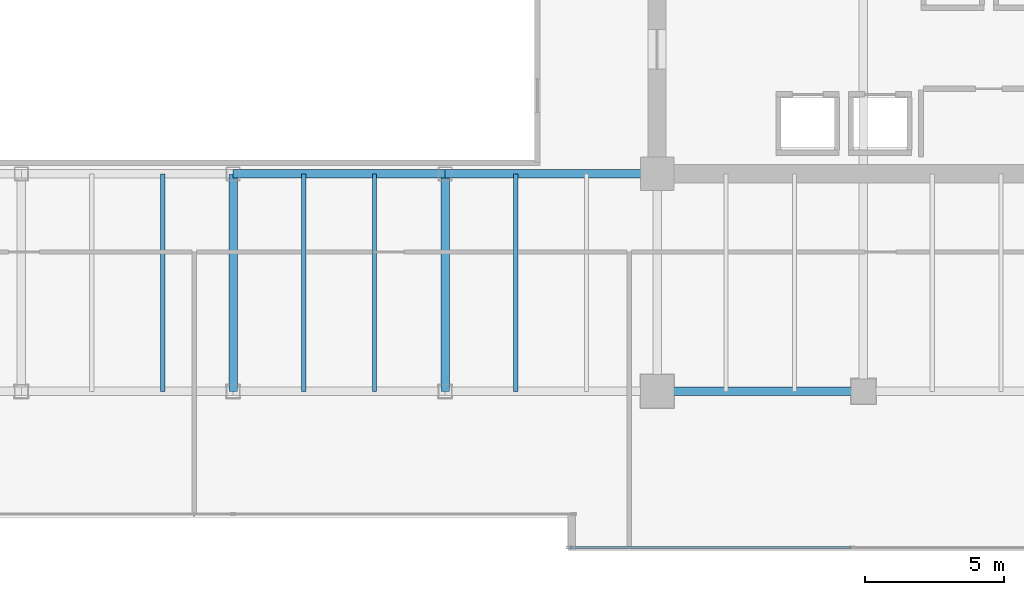
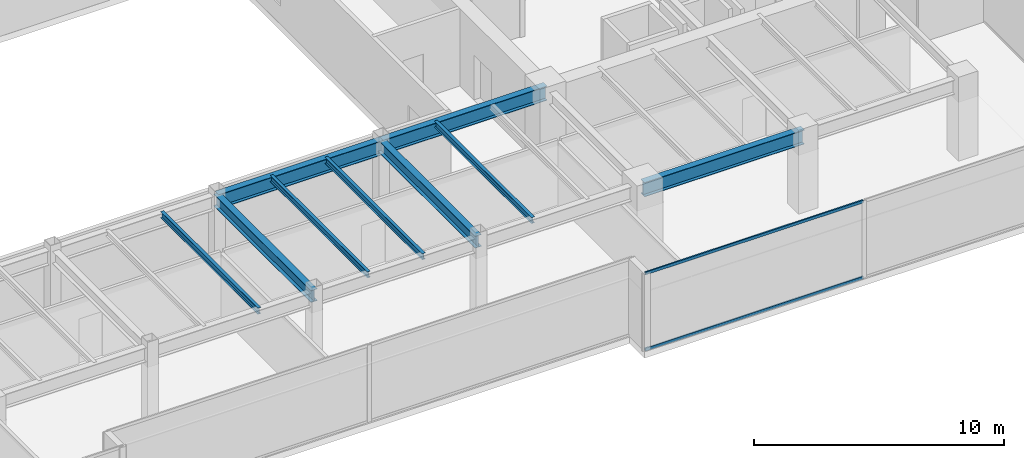
# One storey, part 11 of 34: 9 beams, 2 members, 1 element without a shape of its own.
"""IFC4 building model written with IfcOpenShell, lengths in metres."""

from ifc_helpers import new_model, si_unit, direction, frame, origin, origin_2d, place, context, subcontext, project, spatial, hollow_rectangle, i_section, extrude, source, transform, mapped, material, layer, layer_set, material_profile, profile_set, type_object, type_shapes, element, aggregate, save


model = new_model("IFC4")

# Units and contexts
model_context = context("Model", 3, precision=1e-05, world=origin(), true_north=direction((0.0, 1.0)))
body_context = subcontext(model_context, "Body", "Model", "MODEL_VIEW")
ifc_project = project(units=[si_unit("LENGTHUNIT", "METRE"), si_unit("AREAUNIT", "SQUARE_METRE"), si_unit("VOLUMEUNIT", "CUBIC_METRE"), si_unit("PLANEANGLEUNIT", "RADIAN"), si_unit("MASSUNIT", "GRAM", prefix="KILO")], contexts=[model_context])

# Site, building, storey
site_placement = place(None, origin())
site = spatial("IfcSite", under=ifc_project, at=site_placement, CompositionType="ELEMENT")
building_placement = place(site_placement, origin())
building = spatial("IfcBuilding", under=site, at=building_placement, Name="Haelvirn Gate Laboratories", CompositionType="ELEMENT")
storey_placement = place(building_placement, frame((0.0, 0.0, 178.89990234375)))
storey = spatial("IfcBuildingStorey", under=building, at=storey_placement, Name="L43", CompositionType="ELEMENT", Elevation=178.89990234375)

# Beams
ifc_material_1 = material(Name="Steel SM355", Category="steel")
ifc_material_profile_1 = material_profile(ifc_material_1, i_section(OverallWidth=0.300048828125, OverallDepth=0.699951171875, WebThickness=0.012939453125, FlangeThickness=0.02392578125, at=origin_2d()), Name="H-700x300x13x24")
ifc_profile_set_1 = profile_set([ifc_material_profile_1], Name="Steel SM355")
beam_type_1 = type_object("IfcBeamType", Name="BM-G-700", PredefinedType="BEAM", material=ifc_profile_set_1)
shared_shape_1 = source(origin(), body_context, "Body", "SweptSolid", [
    extrude(i_section(OverallWidth=0.300048828125, OverallDepth=0.699951171875, WebThickness=0.012939453125, FlangeThickness=0.02392578125, at=origin_2d()), origin(), (0.0, 0.0, 1.0), 7.39990234375),
])
beam_placement = place(storey_placement, frame((52.60009765625, 7.0, 3.440185546875), z_axis=(1.0, 0.0, 0.0), x_axis=(0.0, 1.0, 0.0)))
element("IfcBeam", 1, at=beam_placement, inside=storey, type_object=beam_type_1, Name="L43 Primary Girder Y7.0 (52.6-60.0)", PredefinedType="BEAM", context=body_context, shape_type="MappedRepresentation", body=[
    mapped(shared_shape_1, transform((0.0, 0.0, 0.0), scale=1.0)),
])
shared_shape_2 = source(origin(), body_context, "Body", "SweptSolid", [
    extrude(i_section(OverallWidth=0.300048828125, OverallDepth=0.699951171875, WebThickness=0.012939453125, FlangeThickness=0.02392578125, at=origin_2d()), origin(), (0.0, 0.0, 1.0), 7.60009765625),
])
type_shapes(beam_type_1, [shared_shape_1, shared_shape_2])
for number, where, z_axis, x_axis, name in (
    (2, (37.39990234375, 14.800048828125, 3.440185546875), (1.0, 0.0, 0.0), (0.0, 1.0, 0.0), "L43 Primary Girder Y14.8 (37.4-45.0)"),
    (3, (45.0, 14.800048828125, 3.440185546875), (1.0, 0.0, 0.0), (0.0, 1.0, 0.0), "L43 Primary Girder Y14.8 (45.0-52.6)"),
):
    element("IfcBeam", number, at=place(storey_placement, frame(where, z_axis=z_axis, x_axis=x_axis)), inside=storey, type_object=beam_type_1, Name=name, PredefinedType="BEAM", context=body_context, shape_type="MappedRepresentation", body=[
        mapped(shared_shape_2, transform((0.0, 0.0, 0.0), scale=1.0)),
    ])
ifc_material_profile_2 = material_profile(ifc_material_1, i_section(OverallWidth=0.14990234375, OverallDepth=0.300048828125, WebThickness=0.006591796875, FlangeThickness=0.009033203125, at=origin_2d()), Name="H-300x150x6.5x9")
ifc_profile_set_2 = profile_set([ifc_material_profile_2], Name="Steel SM355")
beam_type_2 = type_object("IfcBeamType", Name="BM-J-300", PredefinedType="JOIST", material=ifc_profile_set_2)
shared_shape_3 = source(origin(), body_context, "Body", "SweptSolid", [
    extrude(i_section(OverallWidth=0.14990234375, OverallDepth=0.300048828125, WebThickness=0.006591796875, FlangeThickness=0.009033203125, at=origin_2d()), origin(), (0.0, 0.0, 1.0), 7.800048828125),
])
type_shapes(beam_type_2, [shared_shape_3])
for number, where, z_axis, x_axis, name in (
    (4, (34.8701171875, 7.0, 3.64013671875), (0.0, 1.0, 0.0), (-1.0, 0.0, 0.0), "L43 Composite Lab Joist South X34.87"),
    (5, (39.929931640625, 7.0, 3.64013671875), (0.0, 1.0, 0.0), (-1.0, 0.0, 0.0), "L43 Composite Lab Joist South X39.93"),
    (6, (42.469970703125, 7.0, 3.64013671875), (0.0, 1.0, 0.0), (-1.0, 0.0, 0.0), "L43 Composite Lab Joist South X42.47"),
    (7, (47.530029296875, 7.0, 3.64013671875), (0.0, 1.0, 0.0), (-1.0, 0.0, 0.0), "L43 Composite Lab Joist South X47.53"),
):
    element("IfcBeam", number, at=place(storey_placement, frame(where, z_axis=z_axis, x_axis=x_axis)), inside=storey, type_object=beam_type_2, Name=name, PredefinedType="JOIST", context=body_context, shape_type="MappedRepresentation", body=[
        mapped(shared_shape_3, transform((0.0, 0.0, 0.0), scale=1.0)),
    ])
ifc_material_profile_3 = material_profile(ifc_material_1, i_section(OverallWidth=0.300048828125, OverallDepth=0.587890625, WebThickness=0.011962890625, FlangeThickness=0.02001953125, at=origin_2d()), Name="H-588x300x12x20")
ifc_profile_set_3 = profile_set([ifc_material_profile_3], Name="Steel SM355")
beam_type_3 = type_object("IfcBeamType", Name="BM-G-588", PredefinedType="BEAM", material=ifc_profile_set_3)
shared_shape_4 = source(origin(), body_context, "Body", "SweptSolid", [
    extrude(i_section(OverallWidth=0.300048828125, OverallDepth=0.587890625, WebThickness=0.011962890625, FlangeThickness=0.02001953125, at=origin_2d()), origin(), (0.0, 0.0, 1.0), 7.800048828125),
])
type_shapes(beam_type_3, [shared_shape_4])
for number, where, z_axis, x_axis, name in (
    (8, (37.39990234375, 7.0, 3.49609375), (0.0, 1.0, 0.0), (-1.0, 0.0, 0.0), "L43 Frame Girder X37.4 (7.0-14.8)"),
    (9, (45.0, 7.0, 3.49609375), (0.0, 1.0, 0.0), (-1.0, 0.0, 0.0), "L43 Frame Girder X45.0 (7.0-14.8)"),
):
    element("IfcBeam", number, at=place(storey_placement, frame(where, z_axis=z_axis, x_axis=x_axis)), inside=storey, type_object=beam_type_3, Name=name, PredefinedType="BEAM", context=body_context, shape_type="MappedRepresentation", body=[
        mapped(shared_shape_4, transform((0.0, 0.0, 0.0), scale=1.0)),
    ])

# Curtain wall, members
ifc_material_2 = material(Name="Anodised bronze unitised aluminium & triple low-E glass", Category="aluminium")
ifc_layer = layer(ifc_material_2, 0.179931640625, Name="CW-SYS-3")
ifc_layer_set = layer_set([ifc_layer], Name="Anodised bronze unitised aluminium & triple low-E glass")
curtain_wall_type = type_object("IfcCurtainWallType", Name="CW-SYS-3", PredefinedType="NOTDEFINED", material=ifc_layer_set)
curtain_wall_placement = place(storey_placement, origin())
curtain_wall = element("IfcCurtainWall", 10, at=curtain_wall_placement, inside=storey, type_object=curtain_wall_type, Name="L43 Unitised Curtain Wall CW-L43-P0-E04-1", PredefinedType="NOTDEFINED")
ifc_material_3 = material(Name="Extruded aluminium 6063-T6 (anodised bronze)", Category="aluminium")
ifc_material_profile_4 = material_profile(ifc_material_3, hollow_rectangle(XDim=0.06494140625, YDim=0.139892578125, WallThickness=0.00390625, at=origin_2d()), Name="CWT-140x65x4")
ifc_profile_set_4 = profile_set([ifc_material_profile_4], Name="Extruded aluminium 6063-T6 (anodised bronze)")
member_type = type_object("IfcMemberType", Name="CWT-T140", PredefinedType="USERDEFINED", material=ifc_profile_set_4)
shared_shape_5 = source(origin(), body_context, "Body", "SweptSolid", [
    extrude(hollow_rectangle(XDim=0.06494140625, YDim=0.139892578125, WallThickness=0.00390625, at=origin_2d()), origin(), (0.0, 0.0, 1.0), 10.08740234375),
])
type_shapes(member_type, [shared_shape_5])
member_1_placement = place(storey_placement, frame((49.47509765625, 1.39990234375, 0.03271484375), z_axis=(1.0, 0.0, 0.0), x_axis=(0.0, 1.0, 0.0)))
member_1 = element("IfcMember", 11, at=member_1_placement, type_object=member_type, Name="CW3 transom 1.1", ObjectType="TRANSOM", PredefinedType="USERDEFINED", context=body_context, shape_type="MappedRepresentation", body=[
    mapped(shared_shape_5, transform((0.0, 0.0, 0.0), scale=1.0)),
])
member_2_placement = place(storey_placement, frame((49.47509765625, 1.39990234375, 3.757568359375), z_axis=(1.0, 0.0, 0.0), x_axis=(0.0, 1.0, 0.0)))
member_2 = element("IfcMember", 12, at=member_2_placement, type_object=member_type, Name="CW3 transom 1.2", ObjectType="TRANSOM", PredefinedType="USERDEFINED", context=body_context, shape_type="MappedRepresentation", body=[
    mapped(shared_shape_5, transform((0.0, 0.0, 0.0), scale=1.0)),
])
aggregate(curtain_wall, [member_1, member_2])

save(model, "model.ifc")
